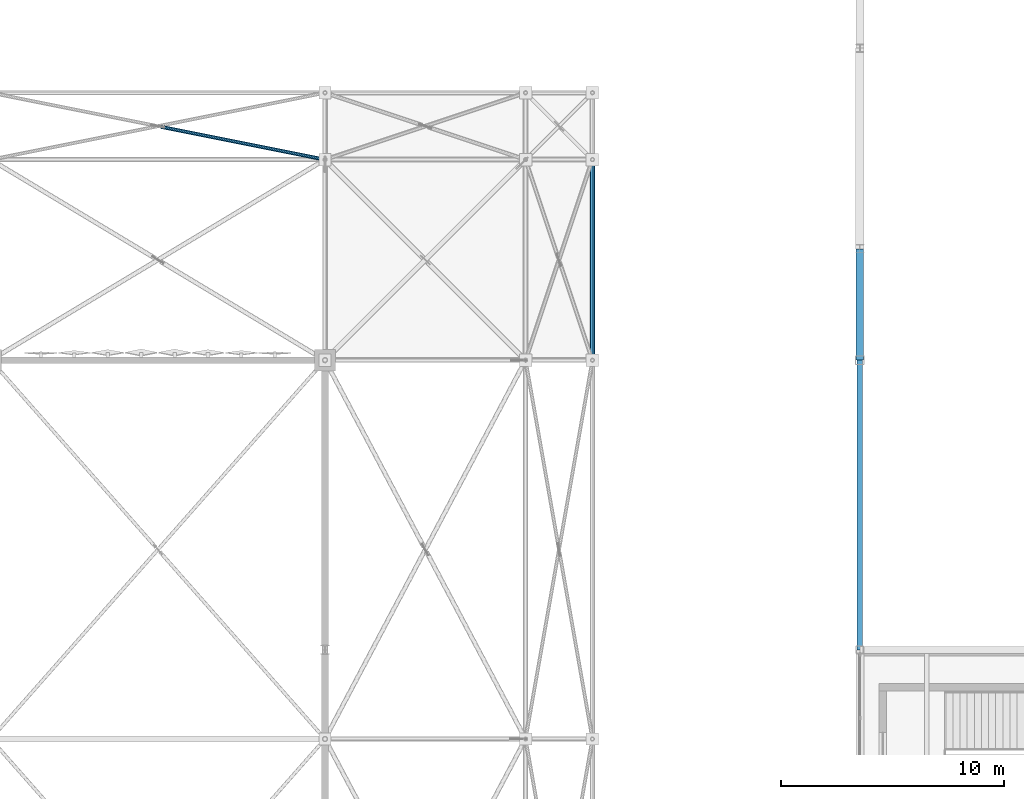
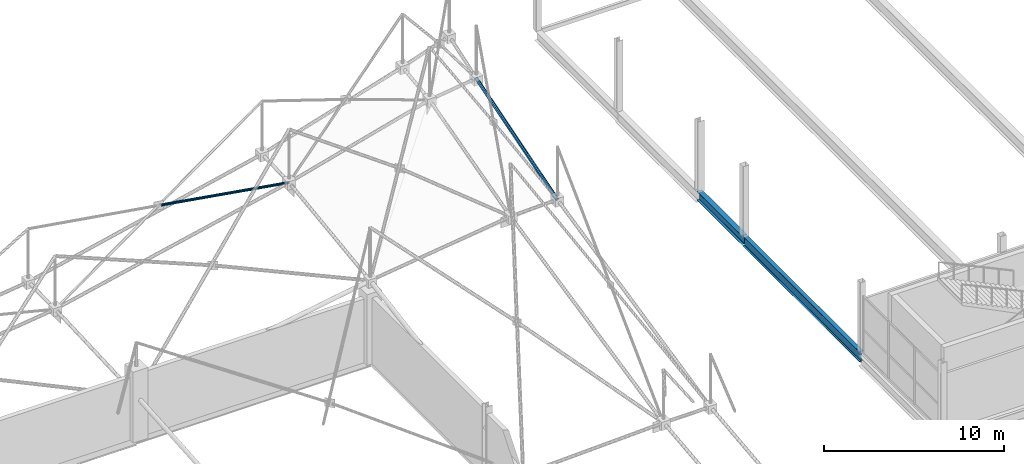
# One storey, part 154 of 224: 2 beams, 2 members.
"""IFC4 building model written with IfcOpenShell, lengths in metres."""

from ifc_helpers import new_model, si_unit, direction, frame, origin, origin_2d, place, context, subcontext, project, spatial, hollow_circle, i_section, extrude, material, material_profile, profile_set, type_object, element, save


model = new_model("IFC4")

# Units and contexts
model_context = context("Model", 3, precision=1e-05, world=origin(), true_north=direction((0.0, 1.0)))
body_context = subcontext(model_context, "Body", "Model", "MODEL_VIEW")
ifc_project = project(units=[si_unit("LENGTHUNIT", "METRE"), si_unit("AREAUNIT", "SQUARE_METRE"), si_unit("VOLUMEUNIT", "CUBIC_METRE"), si_unit("PLANEANGLEUNIT", "RADIAN"), si_unit("MASSUNIT", "GRAM", prefix="KILO")], contexts=[model_context])

# Site, building, storey
site_placement = place(None, origin())
site = spatial("IfcSite", under=ifc_project, at=site_placement, CompositionType="ELEMENT")
building_placement = place(site_placement, origin())
building = spatial("IfcBuilding", under=site, at=building_placement, Name="Qamarlyn Nura Convention Centre", CompositionType="ELEMENT")
storey_placement = place(building_placement, frame((0.0, 0.0, 10.800048828125)))
storey = spatial("IfcBuildingStorey", under=building, at=storey_placement, Name="L02", CompositionType="ELEMENT", Elevation=10.800048828125)

# Beams
ifc_material_1 = material(Name="Steel ASTM A992", Category="steel")
ifc_material_profile_1 = material_profile(ifc_material_1, i_section(OverallWidth=0.323974609375, OverallDepth=0.611083984375, WebThickness=0.0126953125, FlangeThickness=0.01904296875, FilletRadius=0.01611328125, at=origin_2d()), Name="W610X155")
ifc_profile_set_1 = profile_set([ifc_material_profile_1], Name="Steel ASTM A992")
beam_type_1 = type_object("IfcBeamType", Name="BM-GIRD-610", PredefinedType="BEAM", material=ifc_profile_set_1)
beam_1_placement = place(storey_placement, frame((144.0, 103.0, -0.3056640625), z_axis=(0.0, 1.0, 0.0), x_axis=(-1.0, 0.0, 0.0)))
element("IfcBeam", 1, at=beam_1_placement, inside=storey, type_object=beam_type_1, Name="L02 girder 12 M-N", PredefinedType="BEAM", context=body_context, shape_type="SweptSolid", body=[
    extrude(i_section(OverallWidth=0.323974609375, OverallDepth=0.611083984375, WebThickness=0.0126953125, FlangeThickness=0.01904296875, FilletRadius=0.01611328125, at=origin_2d()), origin(), (0.0, 0.0, 1.0), 5.0),
])
ifc_material_profile_2 = material_profile(ifc_material_1, i_section(OverallWidth=0.25390625, OverallDepth=0.68408203125, WebThickness=0.012451171875, FlangeThickness=0.01904296875, FilletRadius=0.01806640625, at=origin_2d()), Name="W690X140")
ifc_profile_set_2 = profile_set([ifc_material_profile_2], Name="Steel ASTM A992")
beam_type_2 = type_object("IfcBeamType", Name="BM-GIRD-690B", PredefinedType="BEAM", material=ifc_profile_set_2)
beam_2_placement = place(storey_placement, frame((144.0, 90.0, -0.342041015625), z_axis=(0.0, 1.0, 0.0), x_axis=(-1.0, 0.0, 0.0)))
element("IfcBeam", 2, at=beam_2_placement, inside=storey, type_object=beam_type_2, Name="L02 girder 12 L-M", PredefinedType="BEAM", context=body_context, shape_type="SweptSolid", body=[
    extrude(i_section(OverallWidth=0.25390625, OverallDepth=0.68408203125, WebThickness=0.012451171875, FlangeThickness=0.01904296875, FilletRadius=0.01806640625, at=origin_2d()), origin(), (0.0, 0.0, 1.0), 13.0),
])

# Members
ifc_material_2 = material(Name="Pearl-white PVDF steel ASTM A500 Grade C", Category="steel")
ifc_material_profile_3 = material_profile(ifc_material_2, hollow_circle(Radius=0.109619140625, WallThickness=0.010009765625, at=origin_2d()), Name="CHS219.1X10")
ifc_profile_set_3 = profile_set([ifc_material_profile_3], Name="Pearl-white PVDF steel ASTM A500 Grade C")
member_type_1 = type_object("IfcMemberType", Name="SF-BC-EAVE", PredefinedType="CHORD", material=ifc_profile_set_3)
member_1_placement = place(storey_placement, frame((132.0, 103.0, 6.607421875), z_axis=(0.0, 0.956184693556, 0.29276412316), x_axis=(-1.0, 0.0, 0.0)))
element("IfcMember", 3, at=member_1_placement, inside=storey, type_object=member_type_1, Name="ROOF TRUSS space frame bottom chord Y12-7", PredefinedType="CHORD", context=body_context, shape_type="SweptSolid", body=[
    extrude(hollow_circle(Radius=0.109619140625, WallThickness=0.010009765625, at=origin_2d()), origin(), (0.0, 0.0, 1.0), 9.412353515625),
])
ifc_material_profile_4 = material_profile(ifc_material_2, hollow_circle(Radius=0.084228515625, WallThickness=0.008056640625, at=origin_2d()), Name="CHS168.3X8")
ifc_profile_set_4 = profile_set([ifc_material_profile_4], Name="Pearl-white PVDF steel ASTM A500 Grade C")
member_type_2 = type_object("IfcMemberType", Name="SF-WEB-STD", PredefinedType="BRACE", material=ifc_profile_set_4)
member_2_placement = place(storey_placement, frame((120.0, 112.0, 6.505615234375), z_axis=(-0.980354592501, 0.196051414131, 0.021649849413), x_axis=(-0.196097376505, -0.980584427231, 0.0)))
element("IfcMember", 4, at=member_2_placement, inside=storey, type_object=member_type_2, Name="ROOF TRUSS space frame split diagonal B1 9-8", PredefinedType="BRACE", context=body_context, shape_type="SweptSolid", body=[
    extrude(hollow_circle(Radius=0.084228515625, WallThickness=0.008056640625, at=origin_2d()), origin(), (0.0, 0.0, 1.0), 7.51025390625),
])

save(model, "model.ifc")
